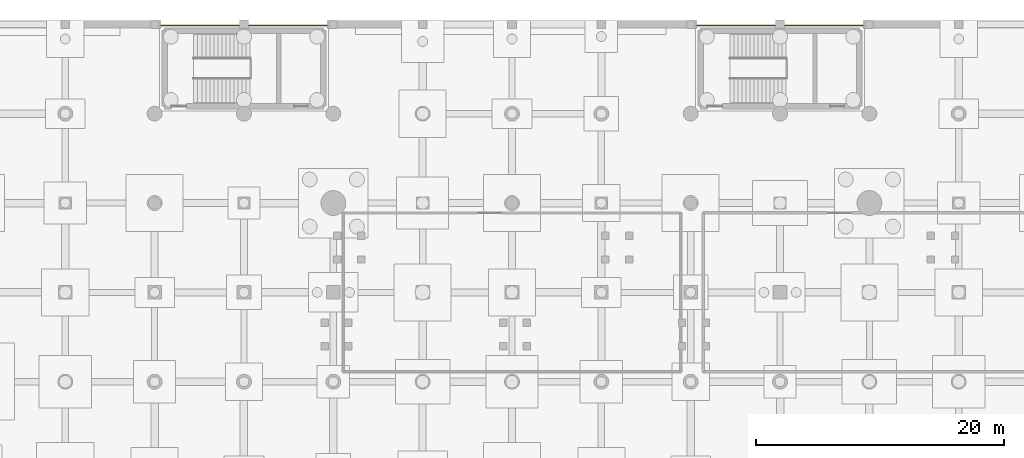
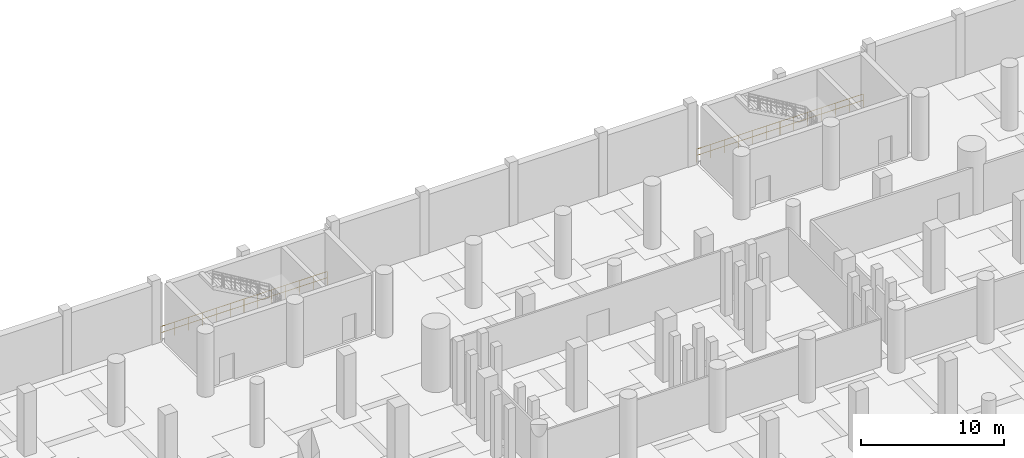
# One storey, part 36 of 37: 2 railings.
"""IFC4 building model written with IfcOpenShell, lengths in metres."""

from ifc_helpers import new_model, si_unit, direction, frame, origin, origin_2d, place, context, subcontext, project, spatial, circle, extrude, material, type_object, element, save


model = new_model("IFC4")

# Units and contexts
model_context = context("Model", 3, precision=1e-05, world=origin(), true_north=direction((0.0, 1.0)))
body_context = subcontext(model_context, "Body", "Model", "MODEL_VIEW")
ifc_project = project(units=[si_unit("LENGTHUNIT", "METRE"), si_unit("AREAUNIT", "SQUARE_METRE"), si_unit("VOLUMEUNIT", "CUBIC_METRE"), si_unit("PLANEANGLEUNIT", "RADIAN"), si_unit("MASSUNIT", "GRAM", prefix="KILO")], contexts=[model_context])

# Site, building, storey
site_placement = place(None, origin())
site = spatial("IfcSite", under=ifc_project, at=site_placement, CompositionType="ELEMENT")
building_placement = place(site_placement, origin())
building = spatial("IfcBuilding", under=site, at=building_placement, Name="Qandorah Velis Arena", CompositionType="ELEMENT")
storey_placement = place(building_placement, frame((0.0, 0.0, -5.39990234375)))
storey = spatial("IfcBuildingStorey", under=building, at=storey_placement, Name="B1", CompositionType="ELEMENT", Elevation=-5.39990234375)

# Railings
ifc_material = material(Name="Stainless steel 316", Category="steel")
railing_type = type_object("IfcRailingType", Name="ARC-RL-GRD1150", PredefinedType="GUARDRAIL", material=ifc_material)
railing_1_placement = place(storey_placement, frame((29.300048828125, 129.5, 0.0)))
element("IfcRailing", 1, at=railing_1_placement, inside=storey, type_object=railing_type, Name="Slab edge safety guardrail B1-006", PredefinedType="GUARDRAIL", context=body_context, shape_type="SweptSolid", body=[
    extrude(circle(Radius=0.02392578125, at=origin_2d()), frame((0.0, 0.0, 1.1259765625), z_axis=(1.0, 0.0, 0.0), x_axis=(0.0, 1.0, 0.0)), (0.0, 0.0, 1.0), 13.39990234375),
    extrude(circle(Radius=0.02392578125, at=origin_2d()), frame((0.0, 0.0, 0.597900390625), z_axis=(1.0, 0.0, 0.0), x_axis=(0.0, 1.0, 0.0)), (0.0, 0.0, 1.0), 13.39990234375),
    extrude(circle(Radius=0.02099609375, at=origin_2d()), origin(), (0.0, 0.0, 1.0), 1.101806640625),
    extrude(circle(Radius=0.02099609375, at=origin_2d()), frame((1.11669921875, 0.0, 0.0)), (0.0, 0.0, 1.0), 1.101806640625),
    extrude(circle(Radius=0.02099609375, at=origin_2d()), frame((2.2333984375, 0.0, 0.0)), (0.0, 0.0, 1.0), 1.101806640625),
    extrude(circle(Radius=0.02099609375, at=origin_2d()), frame((3.35009765625, 0.0, 0.0)), (0.0, 0.0, 1.0), 1.101806640625),
    extrude(circle(Radius=0.02099609375, at=origin_2d()), frame((4.466552734375, 0.0, 0.0)), (0.0, 0.0, 1.0), 1.101806640625),
    extrude(circle(Radius=0.02099609375, at=origin_2d()), frame((5.583251953125, 0.0, 0.0)), (0.0, 0.0, 1.0), 1.101806640625),
    extrude(circle(Radius=0.02099609375, at=origin_2d()), frame((6.699951171875, 0.0, 0.0)), (0.0, 0.0, 1.0), 1.101806640625),
    extrude(circle(Radius=0.02099609375, at=origin_2d()), frame((7.816650390625, 0.0, 0.0)), (0.0, 0.0, 1.0), 1.101806640625),
    extrude(circle(Radius=0.02099609375, at=origin_2d()), frame((8.933349609375, 0.0, 0.0)), (0.0, 0.0, 1.0), 1.101806640625),
    extrude(circle(Radius=0.02099609375, at=origin_2d()), frame((10.0498046875, 0.0, 0.0)), (0.0, 0.0, 1.0), 1.101806640625),
    extrude(circle(Radius=0.02099609375, at=origin_2d()), frame((11.16650390625, 0.0, 0.0)), (0.0, 0.0, 1.0), 1.101806640625),
    extrude(circle(Radius=0.02099609375, at=origin_2d()), frame((12.283203125, 0.0, 0.0)), (0.0, 0.0, 1.0), 1.101806640625),
    extrude(circle(Radius=0.02099609375, at=origin_2d()), frame((13.39990234375, 0.0, 0.0)), (0.0, 0.0, 1.0), 1.101806640625),
])
railing_2_placement = place(storey_placement, frame((72.5, 129.5, 0.0)))
element("IfcRailing", 2, at=railing_2_placement, inside=storey, type_object=railing_type, Name="Slab edge safety guardrail B1-007", PredefinedType="GUARDRAIL", context=body_context, shape_type="SweptSolid", body=[
    extrude(circle(Radius=0.02392578125, at=origin_2d()), frame((0.0, 0.0, 1.1259765625), z_axis=(1.0, 0.0, 0.0), x_axis=(0.0, 1.0, 0.0)), (0.0, 0.0, 1.0), 13.39990234375),
    extrude(circle(Radius=0.02392578125, at=origin_2d()), frame((0.0, 0.0, 0.597900390625), z_axis=(1.0, 0.0, 0.0), x_axis=(0.0, 1.0, 0.0)), (0.0, 0.0, 1.0), 13.39990234375),
    extrude(circle(Radius=0.02099609375, at=origin_2d()), origin(), (0.0, 0.0, 1.0), 1.101806640625),
    extrude(circle(Radius=0.02099609375, at=origin_2d()), frame((1.11669921875, 0.0, 0.0)), (0.0, 0.0, 1.0), 1.101806640625),
    extrude(circle(Radius=0.02099609375, at=origin_2d()), frame((2.2333984375, 0.0, 0.0)), (0.0, 0.0, 1.0), 1.101806640625),
    extrude(circle(Radius=0.02099609375, at=origin_2d()), frame((3.35009765625, 0.0, 0.0)), (0.0, 0.0, 1.0), 1.101806640625),
    extrude(circle(Radius=0.02099609375, at=origin_2d()), frame((4.466552734375, 0.0, 0.0)), (0.0, 0.0, 1.0), 1.101806640625),
    extrude(circle(Radius=0.02099609375, at=origin_2d()), frame((5.583251953125, 0.0, 0.0)), (0.0, 0.0, 1.0), 1.101806640625),
    extrude(circle(Radius=0.02099609375, at=origin_2d()), frame((6.699951171875, 0.0, 0.0)), (0.0, 0.0, 1.0), 1.101806640625),
    extrude(circle(Radius=0.02099609375, at=origin_2d()), frame((7.816650390625, 0.0, 0.0)), (0.0, 0.0, 1.0), 1.101806640625),
    extrude(circle(Radius=0.02099609375, at=origin_2d()), frame((8.933349609375, 0.0, 0.0)), (0.0, 0.0, 1.0), 1.101806640625),
    extrude(circle(Radius=0.02099609375, at=origin_2d()), frame((10.0498046875, 0.0, 0.0)), (0.0, 0.0, 1.0), 1.101806640625),
    extrude(circle(Radius=0.02099609375, at=origin_2d()), frame((11.16650390625, 0.0, 0.0)), (0.0, 0.0, 1.0), 1.101806640625),
    extrude(circle(Radius=0.02099609375, at=origin_2d()), frame((12.283203125, 0.0, 0.0)), (0.0, 0.0, 1.0), 1.101806640625),
    extrude(circle(Radius=0.02099609375, at=origin_2d()), frame((13.39990234375, 0.0, 0.0)), (0.0, 0.0, 1.0), 1.101806640625),
])

save(model, "model.ifc")
